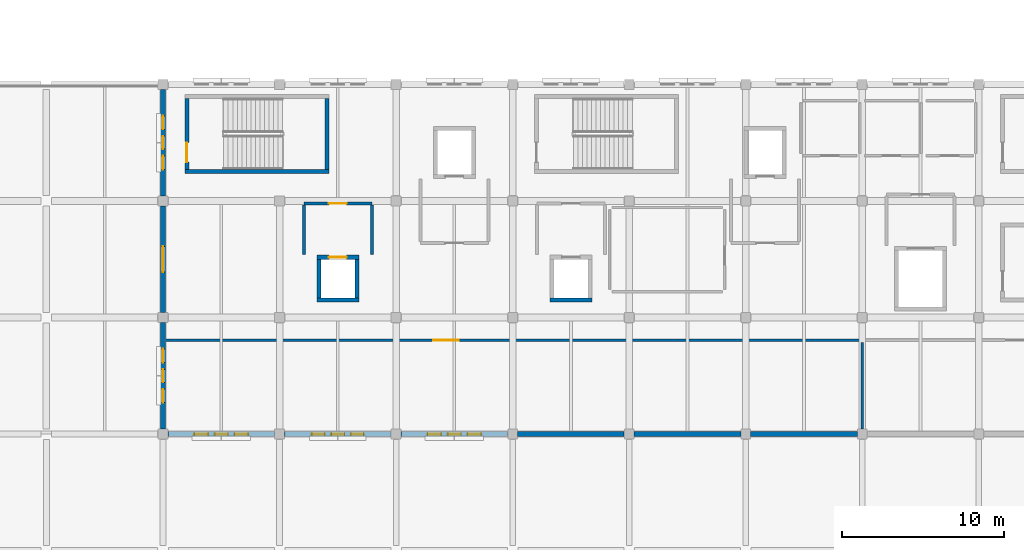
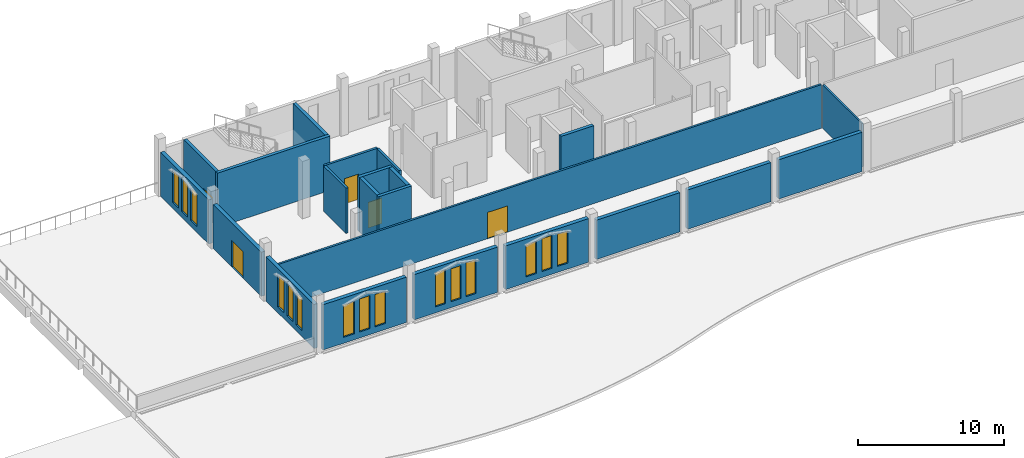
# One storey, part 9 of 23: 22 walls, 15 windows, 5 doors, 20 openings.
"""IFC4 building model written with IfcOpenShell, lengths in metres."""

from ifc_helpers import new_model, si_unit, direction, frame, frame_2d, origin, place, context, subcontext, project, spatial, rectangle, extrude, material, layer, layer_set, type_object, element, fill, save


model = new_model("IFC4")

# Units and contexts
model_context = context("Model", 3, precision=1e-05, world=origin(), true_north=direction((0.0, 1.0)))
body_context = subcontext(model_context, "Body", "Model", "MODEL_VIEW")
ifc_project = project(units=[si_unit("LENGTHUNIT", "METRE"), si_unit("AREAUNIT", "SQUARE_METRE"), si_unit("VOLUMEUNIT", "CUBIC_METRE"), si_unit("PLANEANGLEUNIT", "RADIAN"), si_unit("MASSUNIT", "GRAM", prefix="KILO")], contexts=[model_context])

# Site, building, storey
site_placement = place(None, origin())
site = spatial("IfcSite", under=ifc_project, at=site_placement, CompositionType="ELEMENT")
building_placement = place(site_placement, origin())
building = spatial("IfcBuilding", under=site, at=building_placement, Name="Cendralis Lancet Convention Centre", CompositionType="ELEMENT")
storey_placement = place(building_placement, frame((0.0, 0.0, 19.800048828125)))
storey = spatial("IfcBuildingStorey", under=building, at=storey_placement, Name="L04", CompositionType="ELEMENT", Elevation=19.800048828125)

# Wall, openings, windows
ifc_material_1 = material(Name="Buff sandstone ashlar and Concrete G40 (C40/50)", Category="masonry")
ifc_layer_1 = layer(ifc_material_1, 0.300048828125, Name="Buff sandstone ashlar and Concrete G40 (C40/50)")
ifc_layer_set_1 = layer_set([ifc_layer_1], Name="Buff sandstone ashlar and Concrete G40 (C40/50)")
wall_type_1 = type_object("IfcWallType", Name="ARC-EW-W300", PredefinedType="STANDARD", material=ifc_layer_set_1)
wall_1_placement = place(storey_placement, frame((153.2919921875, 14.39990234375, 0.0), z_axis=(0.0, 0.0, 1.0), x_axis=(-1.0, 0.0, 0.0)))
wall_1 = element("IfcWall", 1, at=wall_1_placement, inside=storey, type_object=wall_type_1, Name="L04 V5 Exterior Wall EW-07 #0320", PredefinedType="STANDARD", context=body_context, shape_type="SweptSolid", body=[
    extrude(rectangle(XDim=6.583984375, YDim=0.300048828125, at=frame_2d((3.2919921875, 0.0))), origin(), (0.0, 0.0, 1.0), 3.784912109375),
])
opening_1_placement = place(wall_1_placement, frame((1.632080078125, 0.0, 0.5)))
opening_1 = element("IfcOpeningElement", 2, at=opening_1_placement, cuts=wall_1, Name="Opening WN-15", PredefinedType="OPENING", context=body_context, shape_type="SweptSolid", body=[
    extrude(rectangle(XDim=0.840087890625, YDim=2.699951171875, at=frame_2d((0.419921875, 1.35009765625))), frame((0.0, 0.159912109375, 0.0), z_axis=(0.0, -1.0, 0.0), x_axis=(1.0, 0.0, 0.0)), (0.0, 0.0, 1.0), 0.320068359375),
])
opening_2_placement = place(wall_1_placement, frame((2.89208984375, 0.0, 0.5)))
opening_2 = element("IfcOpeningElement", 3, at=opening_2_placement, cuts=wall_1, Name="Opening WN-07", PredefinedType="OPENING", context=body_context, shape_type="SweptSolid", body=[
    extrude(rectangle(XDim=0.800048828125, YDim=2.75, at=frame_2d((0.39990234375, 1.375))), frame((0.0, 0.159912109375, 0.0), z_axis=(0.0, -1.0, 0.0), x_axis=(1.0, 0.0, 0.0)), (0.0, 0.0, 1.0), 0.320068359375),
])
opening_3_placement = place(wall_1_placement, frame((4.112060546875, 0.0, 0.5)))
opening_3 = element("IfcOpeningElement", 4, at=opening_3_placement, cuts=wall_1, Name="Opening WN-15", PredefinedType="OPENING", context=body_context, shape_type="SweptSolid", body=[
    extrude(rectangle(XDim=0.840087890625, YDim=2.699951171875, at=frame_2d((0.419921875, 1.35009765625))), frame((0.0, 0.159912109375, 0.0), z_axis=(0.0, -1.0, 0.0), x_axis=(1.0, 0.0, 0.0)), (0.0, 0.0, 1.0), 0.320068359375),
])
ifc_material_2 = material(Name="Double-glazed low-E solar-control glass", Category="glass")
window_type_1 = type_object("IfcWindowType", Name="ARC-WN-LW07", PartitioningType="SINGLE_PANEL", PredefinedType="WINDOW", material=ifc_material_2)
window_1_placement = place(opening_2_placement, origin())
window_1 = element("IfcWindow", 5, at=window_1_placement, inside=storey, type_object=window_type_1, Name="Gothic Lancet Window WN-07 #0638", OverallHeight=2.75, OverallWidth=0.800048828125, PartitioningType="SINGLE_PANEL", PredefinedType="WINDOW", context=body_context, shape_type="SweptSolid", body=[
    extrude(rectangle(XDim=0.800048828125, YDim=2.75, at=frame_2d((0.39990234375, 1.375))), frame((0.0, 0.030029296875, 0.0), z_axis=(0.0, -1.0, 0.0), x_axis=(1.0, 0.0, 0.0)), (0.0, 0.0, 1.0), 0.06005859375),
])
fill(opening_2, window_1)
window_type_2 = type_object("IfcWindowType", Name="ARC-WN-LW15", PartitioningType="SINGLE_PANEL", PredefinedType="WINDOW", material=ifc_material_2)
window_2_placement = place(opening_1_placement, origin())
window_2 = element("IfcWindow", 6, at=window_2_placement, inside=storey, type_object=window_type_2, Name="Gothic Lancet Window WN-15 #0637", OverallHeight=2.699951171875, OverallWidth=0.840087890625, PartitioningType="SINGLE_PANEL", PredefinedType="WINDOW", context=body_context, shape_type="SweptSolid", body=[
    extrude(rectangle(XDim=0.840087890625, YDim=2.699951171875, at=frame_2d((0.419921875, 1.35009765625))), frame((0.0, 0.030029296875, 0.0), z_axis=(0.0, -1.0, 0.0), x_axis=(1.0, 0.0, 0.0)), (0.0, 0.0, 1.0), 0.06005859375),
])
fill(opening_1, window_2)
window_3_placement = place(opening_3_placement, origin())
window_3 = element("IfcWindow", 7, at=window_3_placement, inside=storey, type_object=window_type_2, Name="Gothic Lancet Window WN-15 #0639", OverallHeight=2.699951171875, OverallWidth=0.840087890625, PartitioningType="SINGLE_PANEL", PredefinedType="WINDOW", context=body_context, shape_type="SweptSolid", body=[
    extrude(rectangle(XDim=0.840087890625, YDim=2.699951171875, at=frame_2d((0.419921875, 1.35009765625))), frame((0.0, 0.030029296875, 0.0), z_axis=(0.0, -1.0, 0.0), x_axis=(1.0, 0.0, 0.0)), (0.0, 0.0, 1.0), 0.06005859375),
])
fill(opening_3, window_3)

wall_2_placement = place(storey_placement, frame((160.491943359375, 14.39990234375, 0.0), z_axis=(0.0, 0.0, 1.0), x_axis=(-1.0, 0.0, 0.0)))
wall_2 = element("IfcWall", 8, at=wall_2_placement, inside=storey, type_object=wall_type_1, Name="L04 V5 Exterior Wall EW-07 #0324", PredefinedType="STANDARD", context=body_context, shape_type="SweptSolid", body=[
    extrude(rectangle(XDim=6.583984375, YDim=0.300048828125, at=frame_2d((3.2919921875, 0.0))), origin(), (0.0, 0.0, 1.0), 3.784912109375),
])
opening_4_placement = place(wall_2_placement, frame((1.69189453125, 0.0, 0.5)))
opening_4 = element("IfcOpeningElement", 9, at=opening_4_placement, cuts=wall_2, Name="Opening WN-01", PredefinedType="OPENING", context=body_context, shape_type="SweptSolid", body=[
    extrude(rectangle(XDim=0.780029296875, YDim=2.85009765625, at=frame_2d((0.39013671875, 1.425048828125))), frame((0.0, 0.159912109375, 0.0), z_axis=(0.0, -1.0, 0.0), x_axis=(1.0, 0.0, 0.0)), (0.0, 0.0, 1.0), 0.320068359375),
])
opening_5_placement = place(wall_2_placement, frame((2.89208984375, 0.0, 0.5)))
opening_5 = element("IfcOpeningElement", 10, at=opening_5_placement, cuts=wall_2, Name="Opening WN-07", PredefinedType="OPENING", context=body_context, shape_type="SweptSolid", body=[
    extrude(rectangle(XDim=0.800048828125, YDim=2.75, at=frame_2d((0.39990234375, 1.375))), frame((0.0, 0.159912109375, 0.0), z_axis=(0.0, -1.0, 0.0), x_axis=(1.0, 0.0, 0.0)), (0.0, 0.0, 1.0), 0.320068359375),
])
opening_6_placement = place(wall_2_placement, frame((4.112060546875, 0.0, 0.5)))
opening_6 = element("IfcOpeningElement", 11, at=opening_6_placement, cuts=wall_2, Name="Opening WN-01", PredefinedType="OPENING", context=body_context, shape_type="SweptSolid", body=[
    extrude(rectangle(XDim=0.780029296875, YDim=2.85009765625, at=frame_2d((0.39013671875, 1.425048828125))), frame((0.0, 0.159912109375, 0.0), z_axis=(0.0, -1.0, 0.0), x_axis=(1.0, 0.0, 0.0)), (0.0, 0.0, 1.0), 0.320068359375),
])
window_type_3 = type_object("IfcWindowType", Name="ARC-WN-LW01", PartitioningType="SINGLE_PANEL", PredefinedType="WINDOW", material=ifc_material_2)
window_4_placement = place(opening_4_placement, origin())
window_4 = element("IfcWindow", 12, at=window_4_placement, inside=storey, type_object=window_type_3, Name="Gothic Lancet Window WN-01 #0643", OverallHeight=2.85009765625, OverallWidth=0.780029296875, PartitioningType="SINGLE_PANEL", PredefinedType="WINDOW", context=body_context, shape_type="SweptSolid", body=[
    extrude(rectangle(XDim=0.780029296875, YDim=2.85009765625, at=frame_2d((0.39013671875, 1.425048828125))), frame((0.0, 0.030029296875, 0.0), z_axis=(0.0, -1.0, 0.0), x_axis=(1.0, 0.0, 0.0)), (0.0, 0.0, 1.0), 0.06005859375),
])
fill(opening_4, window_4)
window_5_placement = place(opening_6_placement, origin())
window_5 = element("IfcWindow", 13, at=window_5_placement, inside=storey, type_object=window_type_3, Name="Gothic Lancet Window WN-01 #0645", OverallHeight=2.85009765625, OverallWidth=0.780029296875, PartitioningType="SINGLE_PANEL", PredefinedType="WINDOW", context=body_context, shape_type="SweptSolid", body=[
    extrude(rectangle(XDim=0.780029296875, YDim=2.85009765625, at=frame_2d((0.39013671875, 1.425048828125))), frame((0.0, 0.030029296875, 0.0), z_axis=(0.0, -1.0, 0.0), x_axis=(1.0, 0.0, 0.0)), (0.0, 0.0, 1.0), 0.06005859375),
])
fill(opening_6, window_5)
window_6_placement = place(opening_5_placement, origin())
window_6 = element("IfcWindow", 14, at=window_6_placement, inside=storey, type_object=window_type_1, Name="Gothic Lancet Window WN-07 #0644", OverallHeight=2.75, OverallWidth=0.800048828125, PartitioningType="SINGLE_PANEL", PredefinedType="WINDOW", context=body_context, shape_type="SweptSolid", body=[
    extrude(rectangle(XDim=0.800048828125, YDim=2.75, at=frame_2d((0.39990234375, 1.375))), frame((0.0, 0.030029296875, 0.0), z_axis=(0.0, -1.0, 0.0), x_axis=(1.0, 0.0, 0.0)), (0.0, 0.0, 1.0), 0.06005859375),
])
fill(opening_5, window_6)

wall_3_placement = place(storey_placement, frame((167.69189453125, 14.39990234375, 0.0), z_axis=(0.0, 0.0, 1.0), x_axis=(-1.0, 0.0, 0.0)))
wall_3 = element("IfcWall", 15, at=wall_3_placement, inside=storey, type_object=wall_type_1, Name="L04 V5 Exterior Wall EW-07 #0328", PredefinedType="STANDARD", context=body_context, shape_type="SweptSolid", body=[
    extrude(rectangle(XDim=6.583984375, YDim=0.300048828125, at=frame_2d((3.2919921875, 0.0))), origin(), (0.0, 0.0, 1.0), 3.64501953125),
])
opening_7_placement = place(wall_3_placement, frame((1.632080078125, 0.0, 0.5)))
opening_7 = element("IfcOpeningElement", 16, at=opening_7_placement, cuts=wall_3, Name="Opening WN-15", PredefinedType="OPENING", context=body_context, shape_type="SweptSolid", body=[
    extrude(rectangle(XDim=0.840087890625, YDim=2.699951171875, at=frame_2d((0.419921875, 1.35009765625))), frame((0.0, 0.159912109375, 0.0), z_axis=(0.0, -1.0, 0.0), x_axis=(1.0, 0.0, 0.0)), (0.0, 0.0, 1.0), 0.320068359375),
])
opening_8_placement = place(wall_3_placement, frame((2.89208984375, 0.0, 0.5)))
opening_8 = element("IfcOpeningElement", 17, at=opening_8_placement, cuts=wall_3, Name="Opening WN-07", PredefinedType="OPENING", context=body_context, shape_type="SweptSolid", body=[
    extrude(rectangle(XDim=0.800048828125, YDim=2.75, at=frame_2d((0.39990234375, 1.375))), frame((0.0, 0.159912109375, 0.0), z_axis=(0.0, -1.0, 0.0), x_axis=(1.0, 0.0, 0.0)), (0.0, 0.0, 1.0), 0.320068359375),
])
opening_9_placement = place(wall_3_placement, frame((4.112060546875, 0.0, 0.5)))
opening_9 = element("IfcOpeningElement", 18, at=opening_9_placement, cuts=wall_3, Name="Opening WN-15", PredefinedType="OPENING", context=body_context, shape_type="SweptSolid", body=[
    extrude(rectangle(XDim=0.840087890625, YDim=2.699951171875, at=frame_2d((0.419921875, 1.35009765625))), frame((0.0, 0.159912109375, 0.0), z_axis=(0.0, -1.0, 0.0), x_axis=(1.0, 0.0, 0.0)), (0.0, 0.0, 1.0), 0.320068359375),
])
window_7_placement = place(opening_8_placement, origin())
window_7 = element("IfcWindow", 19, at=window_7_placement, inside=storey, type_object=window_type_1, Name="Gothic Lancet Window WN-07 #0650", OverallHeight=2.75, OverallWidth=0.800048828125, PartitioningType="SINGLE_PANEL", PredefinedType="WINDOW", context=body_context, shape_type="SweptSolid", body=[
    extrude(rectangle(XDim=0.800048828125, YDim=2.75, at=frame_2d((0.39990234375, 1.375))), frame((0.0, 0.030029296875, 0.0), z_axis=(0.0, -1.0, 0.0), x_axis=(1.0, 0.0, 0.0)), (0.0, 0.0, 1.0), 0.06005859375),
])
fill(opening_8, window_7)
window_8_placement = place(opening_7_placement, origin())
window_8 = element("IfcWindow", 20, at=window_8_placement, inside=storey, type_object=window_type_2, Name="Gothic Lancet Window WN-15 #0649", OverallHeight=2.699951171875, OverallWidth=0.840087890625, PartitioningType="SINGLE_PANEL", PredefinedType="WINDOW", context=body_context, shape_type="SweptSolid", body=[
    extrude(rectangle(XDim=0.840087890625, YDim=2.699951171875, at=frame_2d((0.419921875, 1.35009765625))), frame((0.0, 0.030029296875, 0.0), z_axis=(0.0, -1.0, 0.0), x_axis=(1.0, 0.0, 0.0)), (0.0, 0.0, 1.0), 0.06005859375),
])
fill(opening_7, window_8)
window_9_placement = place(opening_9_placement, origin())
window_9 = element("IfcWindow", 21, at=window_9_placement, inside=storey, type_object=window_type_2, Name="Gothic Lancet Window WN-15 #0651", OverallHeight=2.699951171875, OverallWidth=0.840087890625, PartitioningType="SINGLE_PANEL", PredefinedType="WINDOW", context=body_context, shape_type="SweptSolid", body=[
    extrude(rectangle(XDim=0.840087890625, YDim=2.699951171875, at=frame_2d((0.419921875, 1.35009765625))), frame((0.0, 0.030029296875, 0.0), z_axis=(0.0, -1.0, 0.0), x_axis=(1.0, 0.0, 0.0)), (0.0, 0.0, 1.0), 0.06005859375),
])
fill(opening_9, window_9)

# Walls
for number, where, z_axis, x_axis, name in (
    (22, (174.89208984375, 14.39990234375, 0.0), (0.0, 0.0, 1.0), (-1.0, 0.0, 0.0), "L04 V5 Exterior Wall EW-07 #0332"),
    (23, (182.092041015625, 14.39990234375, 0.0), (0.0, 0.0, 1.0), (-1.0, 0.0, 0.0), "L04 V5 Exterior Wall EW-07 #0336"),
    (24, (189.2919921875, 14.39990234375, 0.0), (0.0, 0.0, 1.0), (-1.0, 0.0, 0.0), "L04 V5 Exterior Wall EW-07 #0340"),
):
    element("IfcWall", number, at=place(storey_placement, frame(where, z_axis=z_axis, x_axis=x_axis)), inside=storey, type_object=wall_type_1, Name=name, PredefinedType="STANDARD", context=body_context, shape_type="SweptSolid", body=[
        extrude(rectangle(XDim=6.583984375, YDim=0.300048828125, at=frame_2d((3.2919921875, 0.0))), origin(), (0.0, 0.0, 1.0), 3.284912109375),
    ])

# Wall, openings, windows
wall_4_placement = place(storey_placement, frame((146.39990234375, 14.7080078125, 0.0), z_axis=(0.0, 0.0, 1.0), x_axis=(0.0, 1.0, 0.0)))
wall_4 = element("IfcWall", 25, at=wall_4_placement, inside=storey, type_object=wall_type_1, Name="L04 V5 Exterior Wall EW-07 #0352", PredefinedType="STANDARD", context=body_context, shape_type="SweptSolid", body=[
    extrude(rectangle(XDim=6.583984375, YDim=0.300048828125, at=frame_2d((3.2919921875, 0.0))), origin(), (0.0, 0.0, 1.0), 3.68505859375),
])
opening_10_placement = place(wall_4_placement, frame((1.632080078125, 0.0, 0.5)))
opening_10 = element("IfcOpeningElement", 26, at=opening_10_placement, cuts=wall_4, Name="Opening WN-15", PredefinedType="OPENING", context=body_context, shape_type="SweptSolid", body=[
    extrude(rectangle(XDim=0.840087890625, YDim=2.699951171875, at=frame_2d((0.419921875, 1.35009765625))), frame((0.0, 0.159912109375, 0.0), z_axis=(0.0, -1.0, 0.0), x_axis=(1.0, 0.0, 0.0)), (0.0, 0.0, 1.0), 0.320068359375),
])
opening_11_placement = place(wall_4_placement, frame((2.89208984375, 0.0, 0.5)))
opening_11 = element("IfcOpeningElement", 27, at=opening_11_placement, cuts=wall_4, Name="Opening WN-07", PredefinedType="OPENING", context=body_context, shape_type="SweptSolid", body=[
    extrude(rectangle(XDim=0.800048828125, YDim=2.75, at=frame_2d((0.39990234375, 1.375))), frame((0.0, 0.159912109375, 0.0), z_axis=(0.0, -1.0, 0.0), x_axis=(1.0, 0.0, 0.0)), (0.0, 0.0, 1.0), 0.320068359375),
])
opening_12_placement = place(wall_4_placement, frame((4.112060546875, 0.0, 0.5)))
opening_12 = element("IfcOpeningElement", 28, at=opening_12_placement, cuts=wall_4, Name="Opening WN-15", PredefinedType="OPENING", context=body_context, shape_type="SweptSolid", body=[
    extrude(rectangle(XDim=0.840087890625, YDim=2.699951171875, at=frame_2d((0.419921875, 1.35009765625))), frame((0.0, 0.159912109375, 0.0), z_axis=(0.0, -1.0, 0.0), x_axis=(1.0, 0.0, 0.0)), (0.0, 0.0, 1.0), 0.320068359375),
])
window_10_placement = place(opening_11_placement, origin())
window_10 = element("IfcWindow", 29, at=window_10_placement, inside=storey, type_object=window_type_1, Name="Gothic Lancet Window WN-07 #0671", OverallHeight=2.75, OverallWidth=0.800048828125, PartitioningType="SINGLE_PANEL", PredefinedType="WINDOW", context=body_context, shape_type="SweptSolid", body=[
    extrude(rectangle(XDim=0.800048828125, YDim=2.75, at=frame_2d((0.39990234375, 1.375))), frame((0.0, 0.030029296875, 0.0), z_axis=(0.0, -1.0, 0.0), x_axis=(1.0, 0.0, 0.0)), (0.0, 0.0, 1.0), 0.06005859375),
])
fill(opening_11, window_10)
window_11_placement = place(opening_10_placement, origin())
window_11 = element("IfcWindow", 30, at=window_11_placement, inside=storey, type_object=window_type_2, Name="Gothic Lancet Window WN-15 #0670", OverallHeight=2.699951171875, OverallWidth=0.840087890625, PartitioningType="SINGLE_PANEL", PredefinedType="WINDOW", context=body_context, shape_type="SweptSolid", body=[
    extrude(rectangle(XDim=0.840087890625, YDim=2.699951171875, at=frame_2d((0.419921875, 1.35009765625))), frame((0.0, 0.030029296875, 0.0), z_axis=(0.0, -1.0, 0.0), x_axis=(1.0, 0.0, 0.0)), (0.0, 0.0, 1.0), 0.06005859375),
])
fill(opening_10, window_11)
window_12_placement = place(opening_12_placement, origin())
window_12 = element("IfcWindow", 31, at=window_12_placement, inside=storey, type_object=window_type_2, Name="Gothic Lancet Window WN-15 #0672", OverallHeight=2.699951171875, OverallWidth=0.840087890625, PartitioningType="SINGLE_PANEL", PredefinedType="WINDOW", context=body_context, shape_type="SweptSolid", body=[
    extrude(rectangle(XDim=0.840087890625, YDim=2.699951171875, at=frame_2d((0.419921875, 1.35009765625))), frame((0.0, 0.030029296875, 0.0), z_axis=(0.0, -1.0, 0.0), x_axis=(1.0, 0.0, 0.0)), (0.0, 0.0, 1.0), 0.06005859375),
])
fill(opening_12, window_12)

# Wall, opening, door
wall_5_placement = place(storey_placement, frame((146.39990234375, 21.907958984375, 0.0), z_axis=(0.0, 0.0, 1.0), x_axis=(0.0, 1.0, 0.0)))
wall_5 = element("IfcWall", 32, at=wall_5_placement, inside=storey, type_object=wall_type_1, Name="L04 V5 Exterior Wall EW-07 #0354", PredefinedType="STANDARD", context=body_context, shape_type="SweptSolid", body=[
    extrude(rectangle(XDim=6.583984375, YDim=0.300048828125, at=frame_2d((3.2919921875, 0.0))), origin(), (0.0, 0.0, 1.0), 3.68505859375),
])
opening_13_placement = place(wall_5_placement, frame((2.491943359375, 0.0, 0.0)))
opening_13 = element("IfcOpeningElement", 33, at=opening_13_placement, cuts=wall_5, Name="Opening TR-D1", PredefinedType="OPENING", context=body_context, shape_type="SweptSolid", body=[
    extrude(rectangle(XDim=1.60009765625, YDim=2.199951171875, at=frame_2d((0.800048828125, 1.10009765625))), frame((0.0, 0.159912109375, 0.0), z_axis=(0.0, -1.0, 0.0), x_axis=(1.0, 0.0, 0.0)), (0.0, 0.0, 1.0), 0.320068359375),
])
ifc_material_3 = material(Name="Anodised bronze architectural aluminium", Category="aluminium")
door_type_1 = type_object("IfcDoorType", Name="ARC-DR-TR16", OperationType="NOTDEFINED", PredefinedType="DOOR", material=ifc_material_3)
door_1_placement = place(opening_13_placement, origin())
door_1 = element("IfcDoor", 34, at=door_1_placement, inside=storey, type_object=door_type_1, Name="L04-D003 Terrace Access Door #057", OperationType="DOUBLE_DOOR_SINGLE_SWING", OverallHeight=2.199951171875, OverallWidth=1.60009765625, PredefinedType="DOOR", context=body_context, shape_type="SweptSolid", body=[
    extrude(rectangle(XDim=1.60009765625, YDim=2.199951171875, at=frame_2d((0.800048828125, 1.10009765625))), frame((0.0, 0.02490234375, 0.0), z_axis=(0.0, -1.0, 0.0), x_axis=(1.0, 0.0, 0.0)), (0.0, 0.0, 1.0), 0.050048828125),
])
fill(opening_13, door_1)

# Wall, openings, windows
wall_6_placement = place(storey_placement, frame((146.39990234375, 29.10791015625, 0.0), z_axis=(0.0, 0.0, 1.0), x_axis=(0.0, 1.0, 0.0)))
wall_6 = element("IfcWall", 35, at=wall_6_placement, inside=storey, type_object=wall_type_1, Name="L04 V5 Exterior Wall EW-07 #0356", PredefinedType="STANDARD", context=body_context, shape_type="SweptSolid", body=[
    extrude(rectangle(XDim=6.583984375, YDim=0.300048828125, at=frame_2d((3.2919921875, 0.0))), origin(), (0.0, 0.0, 1.0), 3.68505859375),
])
opening_14_placement = place(wall_6_placement, frame((1.632080078125, 0.0, 0.5)))
opening_14 = element("IfcOpeningElement", 36, at=opening_14_placement, cuts=wall_6, Name="Opening WN-15", PredefinedType="OPENING", context=body_context, shape_type="SweptSolid", body=[
    extrude(rectangle(XDim=0.840087890625, YDim=2.699951171875, at=frame_2d((0.419921875, 1.35009765625))), frame((0.0, 0.159912109375, 0.0), z_axis=(0.0, -1.0, 0.0), x_axis=(1.0, 0.0, 0.0)), (0.0, 0.0, 1.0), 0.320068359375),
])
opening_15_placement = place(wall_6_placement, frame((2.89208984375, 0.0, 0.5)))
opening_15 = element("IfcOpeningElement", 37, at=opening_15_placement, cuts=wall_6, Name="Opening WN-07", PredefinedType="OPENING", context=body_context, shape_type="SweptSolid", body=[
    extrude(rectangle(XDim=0.800048828125, YDim=2.75, at=frame_2d((0.39990234375, 1.375))), frame((0.0, 0.159912109375, 0.0), z_axis=(0.0, -1.0, 0.0), x_axis=(1.0, 0.0, 0.0)), (0.0, 0.0, 1.0), 0.320068359375),
])
opening_16_placement = place(wall_6_placement, frame((4.112060546875, 0.0, 0.5)))
opening_16 = element("IfcOpeningElement", 38, at=opening_16_placement, cuts=wall_6, Name="Opening WN-15", PredefinedType="OPENING", context=body_context, shape_type="SweptSolid", body=[
    extrude(rectangle(XDim=0.840087890625, YDim=2.699951171875, at=frame_2d((0.419921875, 1.35009765625))), frame((0.0, 0.159912109375, 0.0), z_axis=(0.0, -1.0, 0.0), x_axis=(1.0, 0.0, 0.0)), (0.0, 0.0, 1.0), 0.320068359375),
])
window_13_placement = place(opening_15_placement, origin())
window_13 = element("IfcWindow", 39, at=window_13_placement, inside=storey, type_object=window_type_1, Name="Gothic Lancet Window WN-07 #0680", OverallHeight=2.75, OverallWidth=0.800048828125, PartitioningType="SINGLE_PANEL", PredefinedType="WINDOW", context=body_context, shape_type="SweptSolid", body=[
    extrude(rectangle(XDim=0.800048828125, YDim=2.75, at=frame_2d((0.39990234375, 1.375))), frame((0.0, 0.030029296875, 0.0), z_axis=(0.0, -1.0, 0.0), x_axis=(1.0, 0.0, 0.0)), (0.0, 0.0, 1.0), 0.06005859375),
])
fill(opening_15, window_13)
window_14_placement = place(opening_14_placement, origin())
window_14 = element("IfcWindow", 40, at=window_14_placement, inside=storey, type_object=window_type_2, Name="Gothic Lancet Window WN-15 #0679", OverallHeight=2.699951171875, OverallWidth=0.840087890625, PartitioningType="SINGLE_PANEL", PredefinedType="WINDOW", context=body_context, shape_type="SweptSolid", body=[
    extrude(rectangle(XDim=0.840087890625, YDim=2.699951171875, at=frame_2d((0.419921875, 1.35009765625))), frame((0.0, 0.030029296875, 0.0), z_axis=(0.0, -1.0, 0.0), x_axis=(1.0, 0.0, 0.0)), (0.0, 0.0, 1.0), 0.06005859375),
])
fill(opening_14, window_14)
window_15_placement = place(opening_16_placement, origin())
window_15 = element("IfcWindow", 41, at=window_15_placement, inside=storey, type_object=window_type_2, Name="Gothic Lancet Window WN-15 #0681", OverallHeight=2.699951171875, OverallWidth=0.840087890625, PartitioningType="SINGLE_PANEL", PredefinedType="WINDOW", context=body_context, shape_type="SweptSolid", body=[
    extrude(rectangle(XDim=0.840087890625, YDim=2.699951171875, at=frame_2d((0.419921875, 1.35009765625))), frame((0.0, 0.030029296875, 0.0), z_axis=(0.0, -1.0, 0.0), x_axis=(1.0, 0.0, 0.0)), (0.0, 0.0, 1.0), 0.06005859375),
])
fill(opening_16, window_15)

# Wall
ifc_material_4 = material(Name="Acoustic fire-rated gypsum board on steel studs", Category="steel")
ifc_layer_2 = layer(ifc_material_4, 0.139892578125, Name="Acoustic fire-rated gypsum board on steel studs")
ifc_layer_set_2 = layer_set([ifc_layer_2], Name="Acoustic fire-rated gypsum board on steel studs")
wall_type_2 = type_object("IfcWallType", Name="ARC-IW-P140", PredefinedType="PARTITIONING", material=ifc_layer_set_2)
wall_7_placement = place(storey_placement, frame((189.60009765625, 14.719970703125, 0.0), z_axis=(0.0, 0.0, 1.0), x_axis=(0.0, 1.0, 0.0)))
element("IfcWall", 42, at=wall_7_placement, inside=storey, type_object=wall_type_2, Name="L04 Interior Partition IW-04 #0425", PredefinedType="PARTITIONING", context=body_context, shape_type="SweptSolid", body=[
    extrude(rectangle(XDim=5.340087890625, YDim=0.139892578125, at=frame_2d((2.669921875, 0.0))), origin(), (0.0, 0.0, 1.0), 3.64501953125),
])

# Wall, opening, door
ifc_layer_3 = layer(ifc_material_4, 0.159912109375, Name="Acoustic fire-rated gypsum board on steel studs")
ifc_layer_set_3 = layer_set([ifc_layer_3], Name="Acoustic fire-rated gypsum board on steel studs")
wall_type_3 = type_object("IfcWallType", Name="ARC-IW-P160", PredefinedType="PARTITIONING", material=ifc_layer_set_3)
wall_8_placement = place(storey_placement, frame((146.56005859375, 20.199951171875, 0.0), z_axis=(0.0, 0.0, 1.0), x_axis=(1.0, 0.0, 0.0)))
wall_8 = element("IfcWall", 43, at=wall_8_placement, inside=storey, type_object=wall_type_3, Name="L04 Interior Partition IW-03 #0424", PredefinedType="PARTITIONING", context=body_context, shape_type="SweptSolid", body=[
    extrude(rectangle(XDim=42.89990234375, YDim=0.159912109375, at=frame_2d((21.449951171875, 0.0))), origin(), (0.0, 0.0, 1.0), 3.64501953125),
])
opening_17_placement = place(wall_8_placement, frame((16.52001953125, 0.0, 0.0)))
opening_17 = element("IfcOpeningElement", 44, at=opening_17_placement, cuts=wall_8, Name="Opening ID-16", PredefinedType="OPENING", context=body_context, shape_type="SweptSolid", body=[
    extrude(rectangle(XDim=1.60009765625, YDim=2.199951171875, at=frame_2d((0.800048828125, 1.10009765625))), frame((0.0, 0.08984375, 0.0), z_axis=(0.0, -1.0, 0.0), x_axis=(1.0, 0.0, 0.0)), (0.0, 0.0, 1.0), 0.179931640625),
])
ifc_material_5 = material(Name="Acoustic Chilean lenga timber and steel fire leaf", Category="steel")
door_type_2 = type_object("IfcDoorType", Name="ARC-DR-DB16", OperationType="NOTDEFINED", PredefinedType="DOOR", material=ifc_material_5)
door_2_placement = place(opening_17_placement, frame((1.60009765625, 0.0, 0.0), z_axis=(0.0, 0.0, 1.0), x_axis=(-1.0, 0.0, 0.0)))
door_2 = element("IfcDoor", 45, at=door_2_placement, inside=storey, type_object=door_type_2, Name="L04-D011 L04 Interior Door ID-16 #0145", OperationType="DOUBLE_DOOR_SINGLE_SWING", OverallHeight=2.199951171875, OverallWidth=1.60009765625, PredefinedType="DOOR", context=body_context, shape_type="SweptSolid", body=[
    extrude(rectangle(XDim=1.60009765625, YDim=2.199951171875, at=frame_2d((0.800048828125, 1.10009765625))), frame((0.0, 0.02490234375, 0.0), z_axis=(0.0, -1.0, 0.0), x_axis=(1.0, 0.0, 0.0)), (0.0, 0.0, 1.0), 0.050048828125),
])
fill(opening_17, door_2)

ifc_layer_4 = layer(ifc_material_4, 0.179931640625, Name="Acoustic fire-rated gypsum board on steel studs")
ifc_layer_set_4 = layer_set([ifc_layer_4], Name="Acoustic fire-rated gypsum board on steel studs")
wall_type_4 = type_object("IfcWallType", Name="ARC-IW-P180", PredefinedType="PARTITIONING", material=ifc_layer_set_4)
wall_9_placement = place(storey_placement, frame((155.10009765625, 28.64990234375, 0.0), z_axis=(0.0, 0.0, 1.0), x_axis=(1.0, 0.0, 0.0)))
wall_9 = element("IfcWall", 46, at=wall_9_placement, inside=storey, type_object=wall_type_4, Name="L04 Lift Lobby LP-01 Front Wall", PredefinedType="PARTITIONING", context=body_context, shape_type="SweptSolid", body=[
    extrude(rectangle(XDim=4.199951171875, YDim=0.179931640625, at=frame_2d((2.10009765625, 0.0))), origin(), (0.0, 0.0, 1.0), 3.784912109375),
])
opening_18_placement = place(wall_9_placement, frame((1.550048828125, 0.0, 0.0)))
opening_18 = element("IfcOpeningElement", 47, at=opening_18_placement, cuts=wall_9, Name="Opening FD-11", PredefinedType="OPENING", context=body_context, shape_type="SweptSolid", body=[
    extrude(rectangle(XDim=1.10009765625, YDim=2.14990234375, at=frame_2d((0.550048828125, 1.074951171875))), frame((0.0, 0.099853515625, 0.0), z_axis=(0.0, -1.0, 0.0), x_axis=(1.0, 0.0, 0.0)), (0.0, 0.0, 1.0), 0.199951171875),
])
ifc_material_6 = material(Name="Steel S355", Category="steel")
door_type_3 = type_object("IfcDoorType", Name="ARC-DR-FF11", OperationType="NOTDEFINED", PredefinedType="DOOR", material=ifc_material_6)
door_3_placement = place(opening_18_placement, origin())
door_3 = element("IfcDoor", 48, at=door_3_placement, inside=storey, type_object=door_type_3, Name="L04-D027 L04 Lift Lobby LP-01 Fire Door", OperationType="SINGLE_SWING_LEFT", OverallHeight=2.14990234375, OverallWidth=1.10009765625, PredefinedType="DOOR", context=body_context, shape_type="SweptSolid", body=[
    extrude(rectangle(XDim=1.10009765625, YDim=2.14990234375, at=frame_2d((0.550048828125, 1.074951171875))), frame((0.0, 0.02490234375, 0.0), z_axis=(0.0, -1.0, 0.0), x_axis=(1.0, 0.0, 0.0)), (0.0, 0.0, 1.0), 0.050048828125),
])
fill(opening_18, door_3)

# Walls
for number, where, z_axis, x_axis, name in (
    (49, (155.10009765625, 25.5, 0.0), (0.0, 0.0, 1.0), (0.0, 1.0, 0.0), "L04 Lift Lobby LP-01 West Wall"),
    (50, (159.300048828125, 25.5, 0.0), (0.0, 0.0, 1.0), (0.0, 1.0, 0.0), "L04 Lift Lobby LP-01 East Wall"),
):
    element("IfcWall", number, at=place(storey_placement, frame(where, z_axis=z_axis, x_axis=x_axis)), inside=storey, type_object=wall_type_4, Name=name, PredefinedType="PARTITIONING", context=body_context, shape_type="SweptSolid", body=[
        extrude(rectangle(XDim=3.050048828125, YDim=0.179931640625, at=frame_2d((1.52490234375, 0.0))), origin(), (0.0, 0.0, 1.0), 3.784912109375),
    ])

# Wall, opening, door
ifc_material_7 = material(Name="Concrete G40 (C40/50)", Category="concrete")
ifc_layer_5 = layer(ifc_material_7, 0.25, Name="Concrete G40 (C40/50)")
ifc_layer_set_5 = layer_set([ifc_layer_5], Name="Concrete G40 (C40/50)")
wall_type_5 = type_object("IfcWallType", Name="STR-SW-CW250", PredefinedType="SHEAR", material=ifc_layer_set_5)
wall_10_placement = place(storey_placement, frame((147.875, 30.75, 0.0), z_axis=(0.0, 0.0, 1.0), x_axis=(0.0, 1.0, 0.0)))
wall_10 = element("IfcWall", 51, at=wall_10_placement, inside=storey, type_object=wall_type_5, Name="L04 Stair Core ST-13 West Shear Wall", PredefinedType="SHEAR", context=body_context, shape_type="SweptSolid", body=[
    extrude(rectangle(XDim=4.3798828125, YDim=0.25, at=frame_2d((2.18994140625, 0.0))), origin(), (0.0, 0.0, 1.0), 4.550048828125),
])
opening_19_placement = place(wall_10_placement, frame((0.449951171875, 0.0, 0.0)))
opening_19 = element("IfcOpeningElement", 52, at=opening_19_placement, cuts=wall_10, Name="Opening SD-12", PredefinedType="OPENING", context=body_context, shape_type="SweptSolid", body=[
    extrude(rectangle(XDim=1.199951171875, YDim=2.14990234375, at=frame_2d((0.60009765625, 1.074951171875))), frame((0.0, 0.135009765625, 0.0), z_axis=(0.0, -1.0, 0.0), x_axis=(1.0, 0.0, 0.0)), (0.0, 0.0, 1.0), 0.27001953125),
])
door_type_4 = type_object("IfcDoorType", Name="ARC-DR-ST12", OperationType="NOTDEFINED", PredefinedType="DOOR", material=ifc_material_6)
door_4_placement = place(opening_19_placement, frame((1.199951171875, 0.0, 0.0), z_axis=(0.0, 0.0, 1.0), x_axis=(-1.0, 0.0, 0.0)))
door_4 = element("IfcDoor", 53, at=door_4_placement, inside=storey, type_object=door_type_4, Name="L04-D033 L04 Exit Stair ST-13 Fire Door", OperationType="SINGLE_SWING_LEFT", OverallHeight=2.14990234375, OverallWidth=1.199951171875, PredefinedType="DOOR", context=body_context, shape_type="SweptSolid", body=[
    extrude(rectangle(XDim=1.199951171875, YDim=2.14990234375, at=frame_2d((0.60009765625, 1.074951171875))), frame((0.0, 0.02490234375, 0.0), z_axis=(0.0, -1.0, 0.0), x_axis=(1.0, 0.0, 0.0)), (0.0, 0.0, 1.0), 0.050048828125),
])
fill(opening_19, door_4)

# Walls
wall_11_placement = place(storey_placement, frame((156.52490234375, 30.75, 0.0), z_axis=(0.0, 0.0, 1.0), x_axis=(0.0, 1.0, 0.0)))
element("IfcWall", 54, at=wall_11_placement, inside=storey, type_object=wall_type_5, Name="L04 Stair Core ST-13 East Shear Wall", PredefinedType="SHEAR", context=body_context, shape_type="SweptSolid", body=[
    extrude(rectangle(XDim=4.3798828125, YDim=0.25, at=frame_2d((2.18994140625, 0.0))), origin(), (0.0, 0.0, 1.0), 4.550048828125),
])
wall_12_placement = place(storey_placement, frame((147.75, 30.625, 0.0), z_axis=(0.0, 0.0, 1.0), x_axis=(1.0, 0.0, 0.0)))
element("IfcWall", 55, at=wall_12_placement, inside=storey, type_object=wall_type_5, Name="L04 Stair Core ST-13 South Shear Wall", PredefinedType="SHEAR", context=body_context, shape_type="SweptSolid", body=[
    extrude(rectangle(XDim=8.89990234375, YDim=0.25, at=frame_2d((4.449951171875, 0.0))), origin(), (0.0, 0.0, 1.0), 4.550048828125),
])
wall_13_placement = place(storey_placement, frame((155.89990234375, 22.675048828125, 0.0), z_axis=(0.0, 0.0, 1.0), x_axis=(1.0, 0.0, 0.0)))
element("IfcWall", 56, at=wall_13_placement, inside=storey, type_object=wall_type_5, Name="L04 Lift LP-01 South Shaft Wall", PredefinedType="SHEAR", context=body_context, shape_type="SweptSolid", body=[
    extrude(rectangle(XDim=2.60009765625, YDim=0.25, at=frame_2d((1.300048828125, 0.0))), origin(), (0.0, 0.0, 1.0), 4.550048828125),
])

# Wall, opening, door
wall_14_placement = place(storey_placement, frame((155.89990234375, 25.324951171875, 0.0), z_axis=(0.0, 0.0, 1.0), x_axis=(1.0, 0.0, 0.0)))
wall_14 = element("IfcWall", 57, at=wall_14_placement, inside=storey, type_object=wall_type_5, Name="L04 Lift LP-01 North Shaft Wall", PredefinedType="SHEAR", context=body_context, shape_type="SweptSolid", body=[
    extrude(rectangle(XDim=2.60009765625, YDim=0.25, at=frame_2d((1.300048828125, 0.0))), origin(), (0.0, 0.0, 1.0), 4.550048828125),
])
opening_20_placement = place(wall_14_placement, frame((0.75, 0.0, 0.0)))
opening_20 = element("IfcOpeningElement", 58, at=opening_20_placement, cuts=wall_14, Name="Opening LD-11", PredefinedType="OPENING", context=body_context, shape_type="SweptSolid", body=[
    extrude(rectangle(XDim=1.10009765625, YDim=2.14990234375, at=frame_2d((0.550048828125, 1.074951171875))), frame((0.0, 0.135009765625, 0.0), z_axis=(0.0, -1.0, 0.0), x_axis=(1.0, 0.0, 0.0)), (0.0, 0.0, 1.0), 0.27001953125),
])
door_type_5 = type_object("IfcDoorType", Name="ARC-DR-LD11", OperationType="NOTDEFINED", PredefinedType="DOOR", material=ifc_material_3)
door_5_placement = place(opening_20_placement, origin())
door_5 = element("IfcDoor", 59, at=door_5_placement, inside=storey, type_object=door_type_5, Name="L04-D020 L04 Lift LP-01 Sliding Landing Door", OperationType="SLIDING_TO_LEFT", OverallHeight=2.14990234375, OverallWidth=1.10009765625, PredefinedType="DOOR", context=body_context, shape_type="SweptSolid", body=[
    extrude(rectangle(XDim=1.10009765625, YDim=2.14990234375, at=frame_2d((0.550048828125, 1.074951171875))), frame((0.0, 0.02490234375, 0.0), z_axis=(0.0, -1.0, 0.0), x_axis=(1.0, 0.0, 0.0)), (0.0, 0.0, 1.0), 0.050048828125),
])
fill(opening_20, door_5)

# Walls
for number, where, z_axis, x_axis, name in (
    (60, (156.02490234375, 22.800048828125, 0.0), (0.0, 0.0, 1.0), (0.0, 1.0, 0.0), "L04 Lift LP-01 West Shaft Wall"),
    (61, (158.375, 22.800048828125, 0.0), (0.0, 0.0, 1.0), (0.0, 1.0, 0.0), "L04 Lift LP-01 East Shaft Wall"),
):
    element("IfcWall", number, at=place(storey_placement, frame(where, z_axis=z_axis, x_axis=x_axis)), inside=storey, type_object=wall_type_5, Name=name, PredefinedType="SHEAR", context=body_context, shape_type="SweptSolid", body=[
        extrude(rectangle(XDim=2.39990234375, YDim=0.25, at=frame_2d((1.199951171875, 0.0))), origin(), (0.0, 0.0, 1.0), 4.550048828125),
    ])
wall_15_placement = place(storey_placement, frame((170.300048828125, 22.675048828125, 0.0), z_axis=(0.0, 0.0, 1.0), x_axis=(1.0, 0.0, 0.0)))
element("IfcWall", 62, at=wall_15_placement, inside=storey, type_object=wall_type_5, Name="L04 Lift LP-02 South Shaft Wall", PredefinedType="SHEAR", context=body_context, shape_type="SweptSolid", body=[
    extrude(rectangle(XDim=2.599853515625, YDim=0.25, at=frame_2d((1.2998046875, 0.0))), origin(), (0.0, 0.0, 1.0), 4.550048828125),
])

save(model, "model.ifc")
